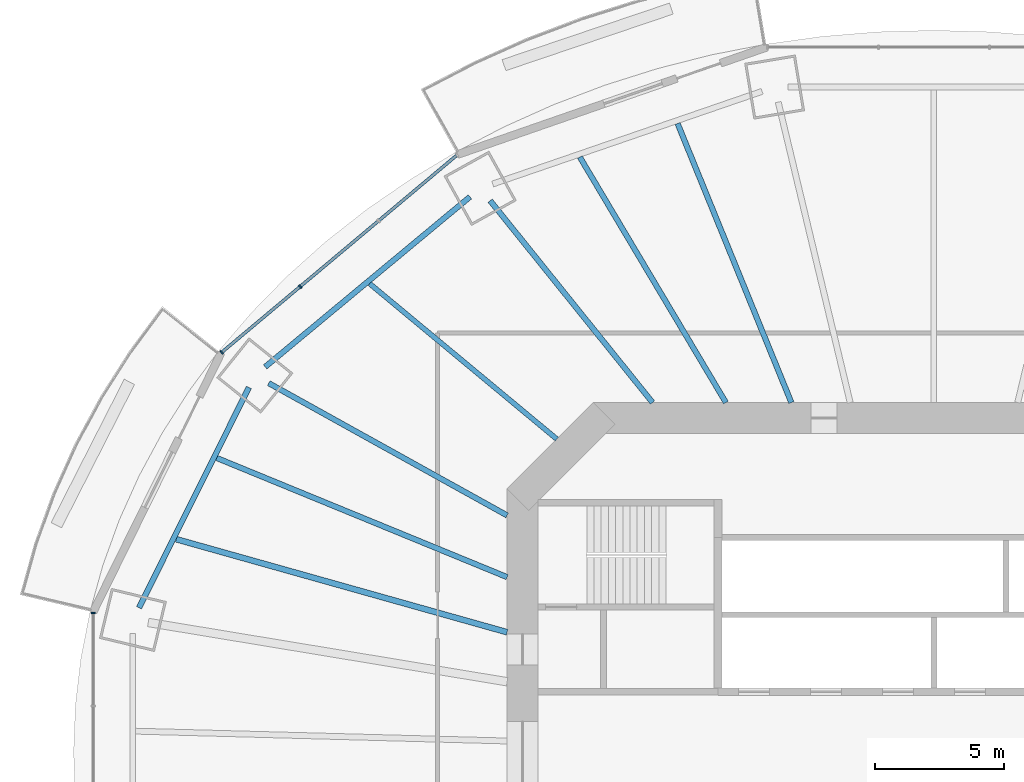
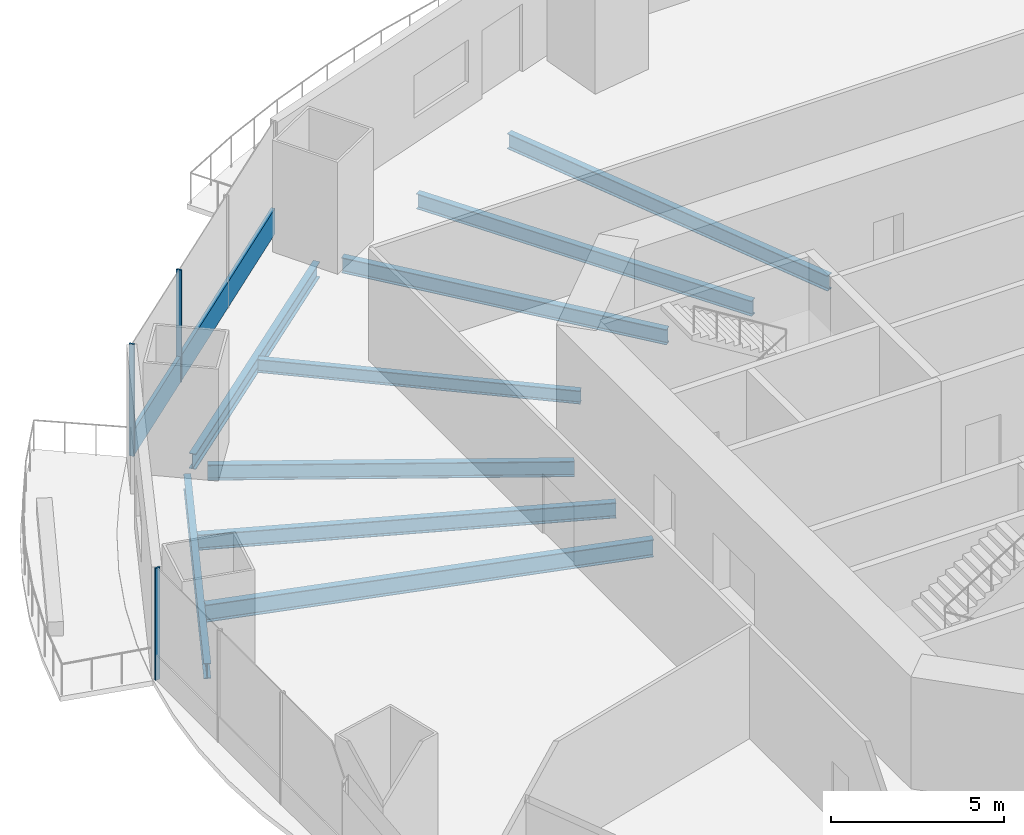
# One storey, part 6 of 18: 9 beams, 4 members, 2 elements without a shape of their own.
"""IFC4 building model written with IfcOpenShell, lengths in metres."""

from ifc_helpers import new_model, si_unit, direction, frame, origin, origin_2d, place, context, subcontext, project, spatial, rectangle, i_section, extrude, material, material_profile, profile_set, type_object, element, aggregate, save


model = new_model("IFC4")

# Units and contexts
model_context = context("Model", 3, precision=1e-05, world=origin(), true_north=direction((0.0, 1.0)))
body_context = subcontext(model_context, "Body", "Model", "MODEL_VIEW")
ifc_project = project(units=[si_unit("LENGTHUNIT", "METRE"), si_unit("AREAUNIT", "SQUARE_METRE"), si_unit("VOLUMEUNIT", "CUBIC_METRE"), si_unit("PLANEANGLEUNIT", "RADIAN"), si_unit("MASSUNIT", "GRAM", prefix="KILO")], contexts=[model_context])

# Site, building, storey
site_placement = place(None, origin())
site = spatial("IfcSite", under=ifc_project, at=site_placement, CompositionType="ELEMENT")
building_placement = place(site_placement, origin())
building = spatial("IfcBuilding", under=site, at=building_placement, Name="Marenthal Gate Tower", CompositionType="ELEMENT")
storey_placement = place(building_placement, frame((0.0, 0.0, 140.89990234375)))
storey = spatial("IfcBuildingStorey", under=building, at=storey_placement, Name="L30", CompositionType="ELEMENT", Elevation=140.89990234375)

# Curtain wall, members
ifc_material_1 = material(Name="Aluminium and glass", Category="aluminium")
curtain_wall_type = type_object("IfcCurtainWallType", Name="Curtain wall typical low", PredefinedType="NOTDEFINED", material=ifc_material_1)
curtain_wall_1_placement = place(storey_placement, origin())
curtain_wall_1 = element("IfcCurtainWall", 1, at=curtain_wall_1_placement, inside=storey, type_object=curtain_wall_type, Name="Curtain wall L30 bay 6", PredefinedType="NOTDEFINED")
ifc_material_2 = material(Name="Aluminium", Category="aluminium")
ifc_material_profile_1 = material_profile(ifc_material_2, rectangle(XDim=0.159912109375, YDim=0.06005859375, at=origin_2d()), Name="60x160 aluminium mullion")
ifc_profile_set_1 = profile_set([ifc_material_profile_1], Name="Aluminium")
member_type_1 = type_object("IfcMemberType", Name="Mullion 60x160 typical low", PredefinedType="MULLION", material=ifc_profile_set_1)
member_1_placement = place(storey_placement, frame((-24.64892578125, 18.109619140625, 0.0), z_axis=(0.0, 0.0, 1.0), x_axis=(0.642510826857, -0.766276606305, 0.0)))
member_1 = element("IfcMember", 2, at=member_1_placement, type_object=member_type_1, Name="Mullion L30 bay 6.3", PredefinedType="MULLION", context=body_context, shape_type="SweptSolid", body=[
    extrude(rectangle(XDim=0.159912109375, YDim=0.06005859375, at=origin_2d()), origin(), (0.0, 0.0, 1.0), 3.9501953125),
])
member_2_placement = place(storey_placement, frame((-27.699951171875, 15.551513671875, 0.0), z_axis=(0.0, 0.0, 1.0), x_axis=(0.642510826857, -0.766276606305, 0.0)))
member_2 = element("IfcMember", 3, at=member_2_placement, type_object=member_type_1, Name="Mullion L30 bay 6.4", PredefinedType="MULLION", context=body_context, shape_type="SweptSolid", body=[
    extrude(rectangle(XDim=0.159912109375, YDim=0.06005859375, at=origin_2d()), origin(), (0.0, 0.0, 1.0), 3.9501953125),
])

# Curtain wall, member
curtain_wall_2_placement = place(storey_placement, origin())
curtain_wall_2 = element("IfcCurtainWall", 4, at=curtain_wall_2_placement, inside=storey, type_object=curtain_wall_type, Name="Curtain wall L30 bay 8", PredefinedType="NOTDEFINED")
member_3_placement = place(storey_placement, frame((-32.701416015625, 5.424072265625, 0.0), z_axis=(0.0, 0.0, 1.0), x_axis=(1.0, 0.0, 0.0)))
member_3 = element("IfcMember", 5, at=member_3_placement, type_object=member_type_1, Name="Mullion L30 bay 8.1", PredefinedType="MULLION", context=body_context, shape_type="SweptSolid", body=[
    extrude(rectangle(XDim=0.159912109375, YDim=0.06005859375, at=origin_2d()), origin(), (0.0, 0.0, 1.0), 3.9501953125),
])
aggregate(curtain_wall_2, [member_3])

# Member
ifc_material_3 = material(Name="Aluminium", Category="aluminium")
ifc_material_profile_2 = material_profile(ifc_material_3, rectangle(XDim=0.1201171875, YDim=0.89990234375, at=origin_2d()), Name="120x900 aluminium transom")
ifc_profile_set_2 = profile_set([ifc_material_profile_2], Name="Aluminium")
member_type_2 = type_object("IfcMemberType", Name="Transom 120x900 typical low", PredefinedType="USERDEFINED", material=ifc_profile_set_2)
member_4_placement = place(storey_placement, frame((-18.56982421875, 23.206787109375, 0.4501953125), z_axis=(-0.76627636454, -0.642511115194, 0.0), x_axis=(0.642511115194, -0.76627636454, 0.0)))
member_4 = element("IfcMember", 6, at=member_4_placement, type_object=member_type_2, Name="Transom L30 bay 6", ObjectType="TRANSOM", PredefinedType="USERDEFINED", context=body_context, shape_type="SweptSolid", body=[
    extrude(rectangle(XDim=0.1201171875, YDim=0.89990234375, at=origin_2d()), origin(), (0.0, 0.0, 1.0), 11.885009765625),
])

aggregate(curtain_wall_1, [member_1, member_2, member_4])

# Beams
ifc_material_4 = material(Name="Steel S355", Category="steel")
ifc_material_profile_3 = material_profile(ifc_material_4, i_section(OverallWidth=0.193115234375, OverallDepth=0.467041015625, WebThickness=0.011474609375, FlangeThickness=0.01904296875, FilletRadius=0.010009765625, at=origin_2d()), Name="W460X97")
ifc_profile_set_3 = profile_set([ifc_material_profile_3], Name="Steel S355")
beam_type_1 = type_object("IfcBeamType", Name="W460X97 beam", PredefinedType="BEAM", material=ifc_profile_set_3)
beam_1_placement = place(storey_placement, frame((-21.944580078125, 18.22412109375, -0.413330078125), z_axis=(0.769313903272, -0.638870971506, 0.0), x_axis=(0.638870971506, 0.769313903272, 0.0)))
element("IfcBeam", 7, at=beam_1_placement, inside=storey, type_object=beam_type_1, Name="BM-L30-25", PredefinedType="BEAM", context=body_context, shape_type="SweptSolid", body=[
    extrude(i_section(OverallWidth=0.193115234375, OverallDepth=0.467041015625, WebThickness=0.011474609375, FlangeThickness=0.01904296875, FilletRadius=0.010009765625, at=origin_2d()), origin(), (0.0, 0.0, 1.0), 9.459228515625),
])
ifc_material_5 = material(Name="Steel S355", Category="steel")
ifc_material_profile_4 = material_profile(ifc_material_5, i_section(OverallWidth=0.2099609375, OverallDepth=0.535888671875, WebThickness=0.010986328125, FlangeThickness=0.017333984375, FilletRadius=0.0126953125, at=origin_2d()), Name="W530X101")
ifc_profile_set_4 = profile_set([ifc_material_profile_4], Name="Steel S355")
beam_type_2 = type_object("IfcBeamType", Name="W530X101 beam", PredefinedType="BEAM", material=ifc_profile_set_4)
beam_2_placement = place(storey_placement, frame((-13.769775390625, 23.14404296875, -0.447998046875), z_axis=(0.511320752803, -0.859389950926, 0.0), x_axis=(0.859389950926, 0.511320752803, 0.0)))
element("IfcBeam", 8, at=beam_2_placement, inside=storey, type_object=beam_type_2, Name="BM-L30-24", PredefinedType="BEAM", context=body_context, shape_type="SweptSolid", body=[
    extrude(i_section(OverallWidth=0.2099609375, OverallDepth=0.535888671875, WebThickness=0.010986328125, FlangeThickness=0.017333984375, FilletRadius=0.0126953125, at=origin_2d()), origin(), (0.0, 0.0, 1.0), 11.10546875),
])
ifc_material_6 = material(Name="Steel S355", Category="steel")
ifc_material_profile_5 = material_profile(ifc_material_6, i_section(OverallWidth=0.2119140625, OverallDepth=0.5439453125, WebThickness=0.01318359375, FlangeThickness=0.021240234375, FilletRadius=0.0126953125, at=origin_2d()), Name="W530X123")
ifc_profile_set_5 = profile_set([ifc_material_profile_5], Name="Steel S355")
beam_type_3 = type_object("IfcBeamType", Name="W530X123 beam", PredefinedType="BEAM", material=ifc_profile_set_5)
beam_3_placement = place(storey_placement, frame((-17.259521484375, 21.45166015625, -0.451904296875), z_axis=(0.6268641657, -0.77912856305, 0.0), x_axis=(0.77912856305, 0.6268641657, 0.0)))
element("IfcBeam", 9, at=beam_3_placement, inside=storey, type_object=beam_type_3, Name="BM-L30-06", PredefinedType="BEAM", context=body_context, shape_type="SweptSolid", body=[
    extrude(i_section(OverallWidth=0.2119140625, OverallDepth=0.5439453125, WebThickness=0.01318359375, FlangeThickness=0.021240234375, FilletRadius=0.0126953125, at=origin_2d()), origin(), (0.0, 0.0, 1.0), 10.077392578125),
])
beam_4_placement = place(storey_placement, frame((-25.8701171875, 14.355224609375, -0.451904296875), z_axis=(0.874396146379, -0.485212715412, 0.0), x_axis=(0.485212715412, 0.874396146379, 0.0)))
element("IfcBeam", 10, at=beam_4_placement, inside=storey, type_object=beam_type_3, Name="BM-L30-07", PredefinedType="BEAM", context=body_context, shape_type="SweptSolid", body=[
    extrude(i_section(OverallWidth=0.2119140625, OverallDepth=0.5439453125, WebThickness=0.01318359375, FlangeThickness=0.021240234375, FilletRadius=0.0126953125, at=origin_2d()), origin(), (0.0, 0.0, 1.0), 10.6015625),
])
beam_5_placement = place(storey_placement, frame((-9.9697265625, 24.451171875, -0.451904296875), z_axis=(0.377553645664, -0.92598771301, 0.0), x_axis=(0.92598771301, 0.377553645664, 0.0)))
element("IfcBeam", 11, at=beam_5_placement, inside=storey, type_object=beam_type_3, Name="BM-L30-23", PredefinedType="BEAM", context=body_context, shape_type="SweptSolid", body=[
    extrude(i_section(OverallWidth=0.2119140625, OverallDepth=0.5439453125, WebThickness=0.01318359375, FlangeThickness=0.021240234375, FilletRadius=0.0126953125, at=origin_2d()), origin(), (0.0, 0.0, 1.0), 11.71826171875),
])
beam_6_placement = place(storey_placement, frame((-27.8916015625, 11.444580078125, -0.451904296875), z_axis=(0.925143041133, -0.379618694803, 0.0), x_axis=(0.379618694803, 0.925143041133, 0.0)))
element("IfcBeam", 12, at=beam_6_placement, inside=storey, type_object=beam_type_3, Name="BM-L30-26", PredefinedType="BEAM", context=body_context, shape_type="SweptSolid", body=[
    extrude(i_section(OverallWidth=0.2119140625, OverallDepth=0.5439453125, WebThickness=0.01318359375, FlangeThickness=0.021240234375, FilletRadius=0.0126953125, at=origin_2d()), origin(), (0.0, 0.0, 1.0), 12.205078125),
])
beam_7_placement = place(storey_placement, frame((-18.044189453125, 21.60107421875, -0.451904296875), z_axis=(-0.769308410826, -0.638877585326, 0.0), x_axis=(0.638877585326, -0.769308410826, 0.0)))
element("IfcBeam", 13, at=beam_7_placement, inside=storey, type_object=beam_type_3, Name="BM-L30-46", PredefinedType="BEAM", context=body_context, shape_type="SweptSolid", body=[
    extrude(i_section(OverallWidth=0.2119140625, OverallDepth=0.5439453125, WebThickness=0.01318359375, FlangeThickness=0.021240234375, FilletRadius=0.0126953125, at=origin_2d()), origin(), (0.0, 0.0, 1.0), 10.35302734375),
])
beam_8_placement = place(storey_placement, frame((-26.642578125, 14.185791015625, -0.451904296875), z_axis=(-0.446356728124, -0.89485511188, 0.0), x_axis=(0.89485511188, -0.446356728124, 0.0)))
element("IfcBeam", 14, at=beam_8_placement, inside=storey, type_object=beam_type_3, Name="BM-L30-47", PredefinedType="BEAM", context=body_context, shape_type="SweptSolid", body=[
    extrude(i_section(OverallWidth=0.2119140625, OverallDepth=0.5439453125, WebThickness=0.01318359375, FlangeThickness=0.021240234375, FilletRadius=0.0126953125, at=origin_2d()), origin(), (0.0, 0.0, 1.0), 9.57568359375),
])
ifc_material_7 = material(Name="Steel S355", Category="steel")
ifc_material_profile_6 = material_profile(ifc_material_7, i_section(OverallWidth=0.22900390625, OverallDepth=0.612060546875, WebThickness=0.011962890625, FlangeThickness=0.01953125, FilletRadius=0.0126953125, at=origin_2d()), Name="W610X125")
ifc_profile_set_6 = profile_set([ifc_material_profile_6], Name="Steel S355")
beam_type_4 = type_object("IfcBeamType", Name="W610X125 beam", PredefinedType="BEAM", material=ifc_profile_set_6)
beam_9_placement = place(storey_placement, frame((-29.466796875, 8.2861328125, -0.48583984375), z_axis=(0.962662543646, -0.270704316664, 0.0), x_axis=(0.270704316664, 0.962662543646, 0.0)))
element("IfcBeam", 15, at=beam_9_placement, inside=storey, type_object=beam_type_4, Name="BM-L30-27", PredefinedType="BEAM", context=body_context, shape_type="SweptSolid", body=[
    extrude(i_section(OverallWidth=0.22900390625, OverallDepth=0.612060546875, WebThickness=0.011962890625, FlangeThickness=0.01953125, FilletRadius=0.0126953125, at=origin_2d()), origin(), (0.0, 0.0, 1.0), 13.36572265625),
])

save(model, "model.ifc")
